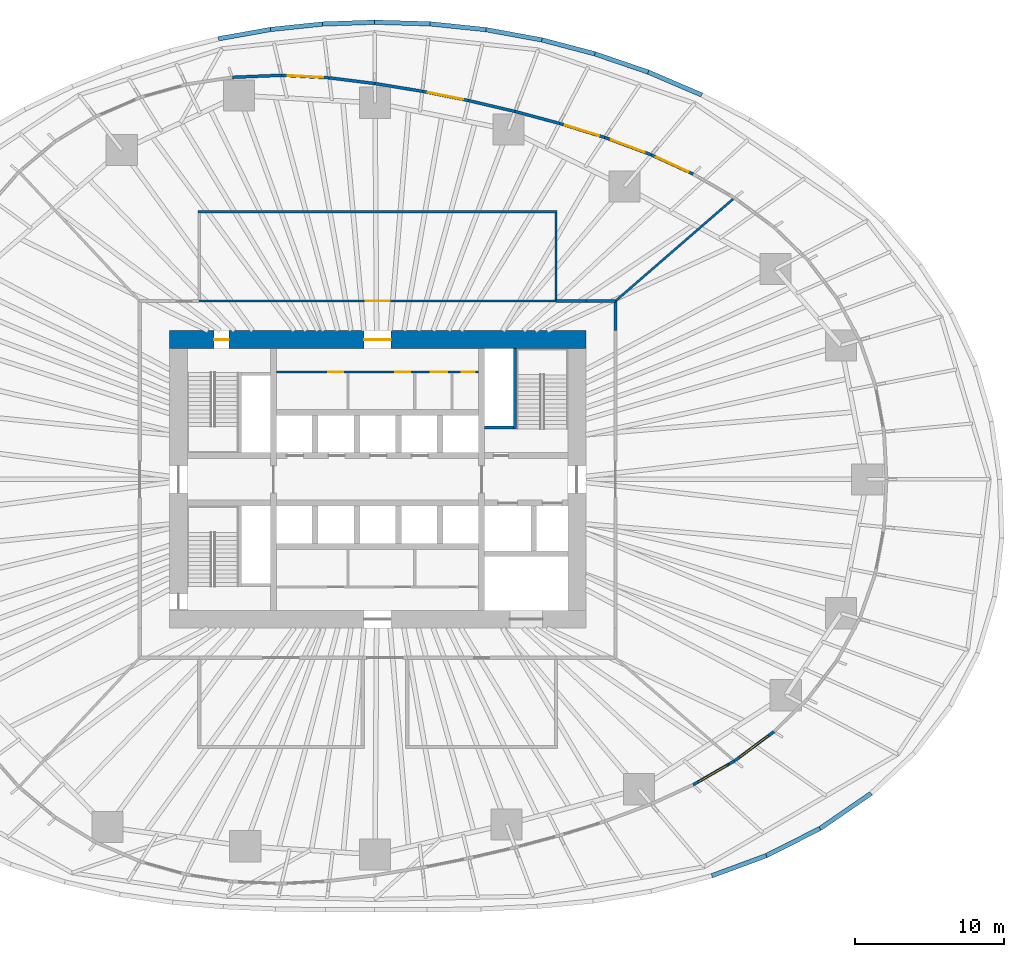
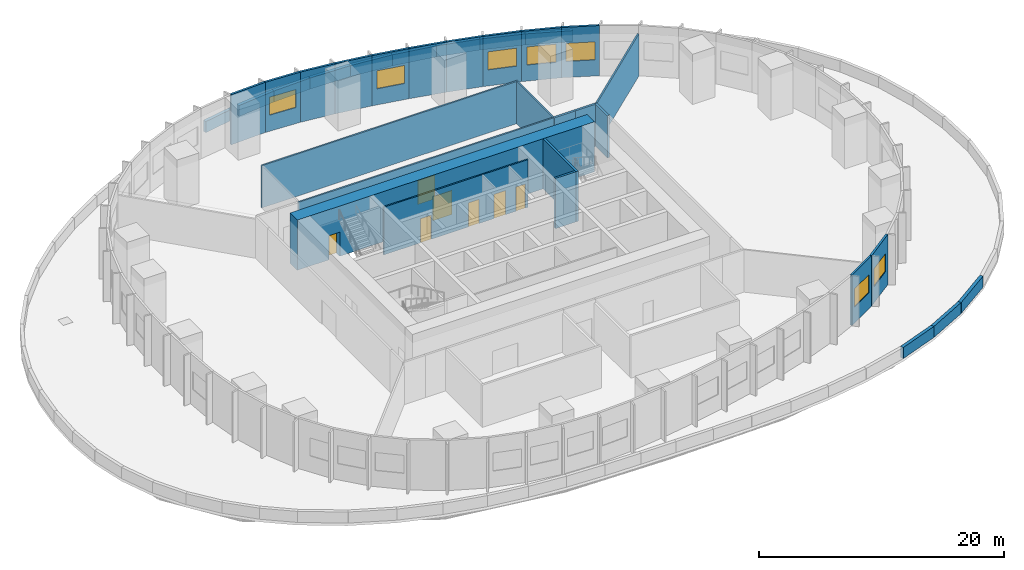
# One storey, part 9 of 11: 35 walls, 7 doors, 7 windows, 14 openings.
"""IFC4 building model written with IfcOpenShell, lengths in metres."""

from ifc_helpers import new_model, si_unit, direction, frame, frame_2d, origin, place, context, subcontext, project, spatial, rectangle, extrude, material, layer, layer_set, type_object, element, fill, save


model = new_model("IFC4")

# Units and contexts
model_context = context("Model", 3, precision=1e-05, world=origin(), true_north=direction((0.0, 1.0)))
body_context = subcontext(model_context, "Body", "Model", "MODEL_VIEW")
ifc_project = project(units=[si_unit("LENGTHUNIT", "METRE"), si_unit("AREAUNIT", "SQUARE_METRE"), si_unit("VOLUMEUNIT", "CUBIC_METRE"), si_unit("PLANEANGLEUNIT", "RADIAN"), si_unit("MASSUNIT", "GRAM", prefix="KILO")], contexts=[model_context])

# Site, building, storey
site_placement = place(None, origin())
site = spatial("IfcSite", under=ifc_project, at=site_placement, CompositionType="ELEMENT")
building_placement = place(site_placement, origin())
building = spatial("IfcBuilding", under=site, at=building_placement, Name="Ghaith Harvest Tower", CompositionType="ELEMENT")
storey_placement = place(building_placement, frame((0.0, 0.0, 15.0)))
storey = spatial("IfcBuildingStorey", under=building, at=storey_placement, Name="L03", CompositionType="ELEMENT", Elevation=15.0)

# Walls
ifc_material_1 = material(Name="Concrete blockwork, 1-hour", Category="masonry")
ifc_layer_1 = layer(ifc_material_1, 0.215087890625)
ifc_layer_set_1 = layer_set([ifc_layer_1], Name="BLOCKWORK WALL 215")
wall_type_1 = type_object("IfcWallType", Name="BLOCKWORK WALL 215", PredefinedType="PARTITIONING", material=ifc_layer_set_1)
for number, where, z_axis, x_axis, name in (
    (1, (16.0, 12.0, 0.0), (0.0, 0.0, 1.0), (-1.0, 0.0, 0.0), "Plant room wall L03"),
    (2, (14.0, 12.0, 0.0), (0.0, 0.0, 1.0), (-1.0, 0.0, 0.0), "Plant room wall L03"),
    (3, (16.0, 10.0, 0.0), (0.0, 0.0, 1.0), (0.0, 1.0, 0.0), "Plant room wall L03"),
):
    element("IfcWall", number, at=place(storey_placement, frame(where, z_axis=z_axis, x_axis=x_axis)), inside=storey, type_object=wall_type_1, Name=name, PredefinedType="PARTITIONING", context=body_context, shape_type="SweptSolid", body=[
        extrude(rectangle(XDim=2.0, YDim=0.215087890625, at=frame_2d((1.0, 0.0))), origin(), (0.0, 0.0, 1.0), 4.199951171875),
    ])

# Wall, openings, doors
ifc_material_2 = material(Name="Concrete blockwork, fair-faced", Category="masonry")
ifc_layer_2 = layer(ifc_material_2, 0.139892578125)
ifc_layer_set_2 = layer_set([ifc_layer_2], Name="CORE PARTITION 140")
wall_type_2 = type_object("IfcWallType", Name="CORE PARTITION 140", PredefinedType="PARTITIONING", material=ifc_layer_set_2)
wall_1_placement = place(storey_placement, frame((-6.800048828125, 7.22998046875, 0.0), z_axis=(0.0, 0.0, 1.0), x_axis=(1.0, 0.0, 0.0)))
wall_1 = element("IfcWall", 4, at=wall_1_placement, inside=storey, type_object=wall_type_2, Name="Core partition L03", PredefinedType="PARTITIONING", context=body_context, shape_type="SweptSolid", body=[
    extrude(rectangle(XDim=13.60009765625, YDim=0.139892578125, at=frame_2d((6.800048828125, 0.0))), origin(), (0.0, 0.0, 1.0), 4.75),
])
opening_1_placement = place(wall_1_placement, frame((3.47998046875, 0.0, 0.0)))
opening_1 = element("IfcOpeningElement", 5, at=opening_1_placement, cuts=wall_1, Name="Opening 03-008", PredefinedType="OPENING", context=body_context, shape_type="SweptSolid", body=[
    extrude(rectangle(XDim=1.0, YDim=2.39990234375, at=frame_2d((0.5, 1.199951171875))), frame((0.0, 0.080078125, 0.0), z_axis=(0.0, -1.0, 0.0), x_axis=(1.0, 0.0, 0.0)), (0.0, 0.0, 1.0), 0.159912109375),
])
opening_2_placement = place(wall_1_placement, frame((7.97998046875, 0.0, 0.0)))
opening_2 = element("IfcOpeningElement", 6, at=opening_2_placement, cuts=wall_1, Name="Opening 03-009", PredefinedType="OPENING", context=body_context, shape_type="SweptSolid", body=[
    extrude(rectangle(XDim=1.0, YDim=2.39990234375, at=frame_2d((0.5, 1.199951171875))), frame((0.0, 0.080078125, 0.0), z_axis=(0.0, -1.0, 0.0), x_axis=(1.0, 0.0, 0.0)), (0.0, 0.0, 1.0), 0.159912109375),
])
opening_3_placement = place(wall_1_placement, frame((10.3798828125, 0.0, 0.0)))
opening_3 = element("IfcOpeningElement", 7, at=opening_3_placement, cuts=wall_1, Name="Opening 03-010", PredefinedType="OPENING", context=body_context, shape_type="SweptSolid", body=[
    extrude(rectangle(XDim=1.10009765625, YDim=2.39990234375, at=frame_2d((0.550048828125, 1.199951171875))), frame((0.0, 0.080078125, 0.0), z_axis=(0.0, -1.0, 0.0), x_axis=(1.0, 0.0, 0.0)), (0.0, 0.0, 1.0), 0.159912109375),
])
opening_4_placement = place(wall_1_placement, frame((12.449951171875, 0.0, 0.0)))
opening_4 = element("IfcOpeningElement", 8, at=opening_4_placement, cuts=wall_1, Name="Opening 03-011", PredefinedType="OPENING", context=body_context, shape_type="SweptSolid", body=[
    extrude(rectangle(XDim=0.89990234375, YDim=2.39990234375, at=frame_2d((0.449951171875, 1.199951171875))), frame((0.0, 0.080078125, 0.0), z_axis=(0.0, -1.0, 0.0), x_axis=(1.0, 0.0, 0.0)), (0.0, 0.0, 1.0), 0.159912109375),
])
ifc_material_3 = material(Name="Steel fire door", Category="steel")
door_type_1 = type_object("IfcDoorType", Name="D3 FD90 1000x2400", OperationType="SINGLE_SWING_LEFT", PredefinedType="DOOR", material=ifc_material_3)
door_1_placement = place(opening_1_placement, origin())
door_1 = element("IfcDoor", 9, at=door_1_placement, inside=storey, type_object=door_type_1, Name="Male WC door", OperationType="SINGLE_SWING_LEFT", OverallHeight=2.39990234375, OverallWidth=1.0, PredefinedType="DOOR", context=body_context, shape_type="SweptSolid", body=[
    extrude(rectangle(XDim=1.0, YDim=2.39990234375, at=frame_2d((0.5, 1.199951171875))), frame((0.0, 0.02490234375, 0.0), z_axis=(0.0, -1.0, 0.0), x_axis=(1.0, 0.0, 0.0)), (0.0, 0.0, 1.0), 0.050048828125),
])
fill(opening_1, door_1)
door_2_placement = place(opening_2_placement, origin())
door_2 = element("IfcDoor", 10, at=door_2_placement, inside=storey, type_object=door_type_1, Name="Female WC door", OperationType="SINGLE_SWING_RIGHT", OverallHeight=2.39990234375, OverallWidth=1.0, PredefinedType="DOOR", context=body_context, shape_type="SweptSolid", body=[
    extrude(rectangle(XDim=1.0, YDim=2.39990234375, at=frame_2d((0.5, 1.199951171875))), frame((0.0, 0.02490234375, 0.0), z_axis=(0.0, -1.0, 0.0), x_axis=(1.0, 0.0, 0.0)), (0.0, 0.0, 1.0), 0.050048828125),
])
fill(opening_2, door_2)
ifc_material_4 = material(Name="Steel fire door", Category="steel")
door_type_2 = type_object("IfcDoorType", Name="D5 FD90 900x2400", OperationType="SINGLE_SWING_LEFT", PredefinedType="DOOR", material=ifc_material_4)
door_3_placement = place(opening_4_placement, origin())
door_3 = element("IfcDoor", 11, at=door_3_placement, inside=storey, type_object=door_type_2, Name="Cleaner's store door", OperationType="SINGLE_SWING_RIGHT", OverallHeight=2.39990234375, OverallWidth=0.89990234375, PredefinedType="DOOR", context=body_context, shape_type="SweptSolid", body=[
    extrude(rectangle(XDim=0.89990234375, YDim=2.39990234375, at=frame_2d((0.449951171875, 1.199951171875))), frame((0.0, 0.02490234375, 0.0), z_axis=(0.0, -1.0, 0.0), x_axis=(1.0, 0.0, 0.0)), (0.0, 0.0, 1.0), 0.050048828125),
])
fill(opening_4, door_3)
ifc_material_5 = material(Name="Steel fire door", Category="steel")
door_type_3 = type_object("IfcDoorType", Name="D9 FD90 1100x2400", OperationType="SINGLE_SWING_LEFT", PredefinedType="DOOR", material=ifc_material_5)
door_4_placement = place(opening_3_placement, origin())
door_4 = element("IfcDoor", 12, at=door_4_placement, inside=storey, type_object=door_type_3, Name="Accessible WC door", OperationType="SINGLE_SWING_RIGHT", OverallHeight=2.39990234375, OverallWidth=1.10009765625, PredefinedType="DOOR", context=body_context, shape_type="SweptSolid", body=[
    extrude(rectangle(XDim=1.10009765625, YDim=2.39990234375, at=frame_2d((0.550048828125, 1.199951171875))), frame((0.0, 0.02490234375, 0.0), z_axis=(0.0, -1.0, 0.0), x_axis=(1.0, 0.0, 0.0)), (0.0, 0.0, 1.0), 0.050048828125),
])
fill(opening_3, door_4)

ifc_material_6 = material(Name="Concrete C70/85", Category="concrete")
ifc_layer_3 = layer(ifc_material_6, 1.199951171875)
ifc_layer_set_3 = layer_set([ifc_layer_3], Name="CORE WALL CW1200")
wall_type_3 = type_object("IfcWallType", Name="CORE WALL CW1200", PredefinedType="SHEAR", material=ifc_layer_set_3)
wall_2_placement = place(storey_placement, frame((14.0, 9.39990234375, 0.0), z_axis=(0.0, 0.0, 1.0), x_axis=(-1.0, 0.0, 0.0)))
wall_2 = element("IfcWall", 13, at=wall_2_placement, inside=storey, type_object=wall_type_3, Name="Core wall N L03", PredefinedType="SHEAR", context=body_context, shape_type="SweptSolid", body=[
    extrude(rectangle(XDim=28.0, YDim=1.199951171875, at=frame_2d((14.0, 0.0))), origin(), (0.0, 0.0, 1.0), 5.0),
])
opening_5_placement = place(wall_2_placement, frame((24.0, 0.0, 0.0)))
opening_5 = element("IfcOpeningElement", 14, at=opening_5_placement, cuts=wall_2, Name="Opening 03-005", PredefinedType="OPENING", context=body_context, shape_type="SweptSolid", body=[
    extrude(rectangle(XDim=1.0, YDim=2.39990234375, at=frame_2d((0.5, 1.199951171875))), frame((0.0, 0.60986328125, 0.0), z_axis=(0.0, -1.0, 0.0), x_axis=(1.0, 0.0, 0.0)), (0.0, 0.0, 1.0), 1.219970703125),
])
opening_6_placement = place(wall_2_placement, frame((13.10009765625, 0.0, 0.0)))
opening_6 = element("IfcOpeningElement", 15, at=opening_6_placement, cuts=wall_2, Name="Opening 03-015", PredefinedType="OPENING", context=body_context, shape_type="SweptSolid", body=[
    extrude(rectangle(XDim=1.800048828125, YDim=2.39990234375, at=frame_2d((0.89990234375, 1.199951171875))), frame((0.0, 0.60986328125, 0.0), z_axis=(0.0, -1.0, 0.0), x_axis=(1.0, 0.0, 0.0)), (0.0, 0.0, 1.0), 1.219970703125),
])
door_5_placement = place(opening_5_placement, origin())
door_5 = element("IfcDoor", 16, at=door_5_placement, inside=storey, type_object=door_type_1, Name="Stair ST1 door", OperationType="SINGLE_SWING_RIGHT", OverallHeight=2.39990234375, OverallWidth=1.0, PredefinedType="DOOR", context=body_context, shape_type="SweptSolid", body=[
    extrude(rectangle(XDim=1.0, YDim=2.39990234375, at=frame_2d((0.5, 1.199951171875))), frame((0.0, 0.02490234375, 0.0), z_axis=(0.0, -1.0, 0.0), x_axis=(1.0, 0.0, 0.0)), (0.0, 0.0, 1.0), 0.050048828125),
])
fill(opening_5, door_5)
ifc_material_7 = material(Name="Steel fire door", Category="steel")
door_type_4 = type_object("IfcDoorType", Name="D4 FD90 PAIR 1800x2400", OperationType="DOUBLE_DOOR_SINGLE_SWING", PredefinedType="DOOR", material=ifc_material_7)
door_6_placement = place(opening_6_placement, origin())
door_6 = element("IfcDoor", 17, at=door_6_placement, inside=storey, type_object=door_type_4, Name="Core service corridor doors", OperationType="DOUBLE_DOOR_SINGLE_SWING", OverallHeight=2.39990234375, OverallWidth=1.800048828125, PredefinedType="DOOR", context=body_context, shape_type="SweptSolid", body=[
    extrude(rectangle(XDim=1.800048828125, YDim=2.39990234375, at=frame_2d((0.89990234375, 1.199951171875))), frame((0.0, 0.02490234375, 0.0), z_axis=(0.0, -1.0, 0.0), x_axis=(1.0, 0.0, 0.0)), (0.0, 0.0, 1.0), 0.050048828125),
])
fill(opening_6, door_6)

# Walls
ifc_material_8 = material(Name="Concrete C40/50", Category="concrete")
ifc_layer_4 = layer(ifc_material_8, 0.300048828125)
ifc_layer_set_4 = layer_set([ifc_layer_4], Name="PARAPET 300")
wall_type_4 = type_object("IfcWallType", Name="PARAPET 300", PredefinedType="PARAPET", material=ifc_layer_set_4)
wall_3_placement = place(storey_placement, frame((21.804443359375, 25.85693359375, 0.0), z_axis=(0.0, 0.0, 1.0), x_axis=(-0.919592009801, 0.392874707139, 0.0)))
element("IfcWall", 18, at=wall_3_placement, inside=storey, type_object=wall_type_4, Name="Parapet 04.1 L03", PredefinedType="PARAPET", context=body_context, shape_type="SweptSolid", body=[
    extrude(rectangle(XDim=3.921875, YDim=0.300048828125, at=frame_2d((1.9609375, 0.0))), origin(), (0.0, 0.0, 1.0), 1.10009765625),
])
wall_4_placement = place(storey_placement, frame((18.197998046875, 27.397705078125, 0.0), z_axis=(0.0, 0.0, 1.0), x_axis=(-0.946146845369, 0.323737775055, 0.0)))
element("IfcWall", 19, at=wall_4_placement, inside=storey, type_object=wall_type_4, Name="Parapet 04.2 L03", PredefinedType="PARAPET", context=body_context, shape_type="SweptSolid", body=[
    extrude(rectangle(XDim=3.788818359375, YDim=0.300048828125, at=frame_2d((1.89453125, 0.0))), origin(), (0.0, 0.0, 1.0), 1.10009765625),
])
wall_5_placement = place(storey_placement, frame((14.61328125, 28.624267578125, 0.0), z_axis=(0.0, 0.0, 1.0), x_axis=(-0.967156049629, 0.254183350488, 0.0)))
element("IfcWall", 20, at=wall_5_placement, inside=storey, type_object=wall_type_4, Name="Parapet 04.3 L03", PredefinedType="PARAPET", context=body_context, shape_type="SweptSolid", body=[
    extrude(rectangle(XDim=3.68359375, YDim=0.300048828125, at=frame_2d((1.841796875, 0.0))), origin(), (0.0, 0.0, 1.0), 1.10009765625),
])
wall_6_placement = place(storey_placement, frame((11.05078125, 29.560546875, 0.0), z_axis=(0.0, 0.0, 1.0), x_axis=(-0.983585266167, 0.180443964098, 0.0)))
element("IfcWall", 21, at=wall_6_placement, inside=storey, type_object=wall_type_4, Name="Parapet 05.1 L03", PredefinedType="PARAPET", context=body_context, shape_type="SweptSolid", body=[
    extrude(rectangle(XDim=3.831787109375, YDim=0.300048828125, at=frame_2d((1.916015625, 0.0))), origin(), (0.0, 0.0, 1.0), 1.10009765625),
])
wall_7_placement = place(storey_placement, frame((7.281982421875, 30.251953125, 0.0), z_axis=(0.0, 0.0, 1.0), x_axis=(-0.99467190392, 0.103091238968, 0.0)))
element("IfcWall", 22, at=wall_7_placement, inside=storey, type_object=wall_type_4, Name="Parapet 05.2 L03", PredefinedType="PARAPET", context=body_context, shape_type="SweptSolid", body=[
    extrude(rectangle(XDim=3.7724609375, YDim=0.300048828125, at=frame_2d((1.88623046875, 0.0))), origin(), (0.0, 0.0, 1.0), 1.10009765625),
])
wall_8_placement = place(storey_placement, frame((3.529541015625, 30.640869140625, 0.0), z_axis=(0.0, 0.0, 1.0), x_axis=(-0.999576451738, 0.029101840686, 0.0)))
element("IfcWall", 23, at=wall_8_placement, inside=storey, type_object=wall_type_4, Name="Parapet 05.3 L03", PredefinedType="PARAPET", context=body_context, shape_type="SweptSolid", body=[
    extrude(rectangle(XDim=3.741455078125, YDim=0.300048828125, at=frame_2d((1.87060546875, 0.0))), origin(), (0.0, 0.0, 1.0), 1.10009765625),
])
wall_9_placement = place(storey_placement, frame((-0.21044921875, 30.749755859375, 0.0), z_axis=(0.0, 0.0, 1.0), x_axis=(-0.999406830373, -0.034438167849, 0.0)))
element("IfcWall", 24, at=wall_9_placement, inside=storey, type_object=wall_type_4, Name="Parapet 06.1 L03", PredefinedType="PARAPET", context=body_context, shape_type="SweptSolid", body=[
    extrude(rectangle(XDim=3.48779296875, YDim=0.300048828125, at=frame_2d((1.743896484375, 0.0))), origin(), (0.0, 0.0, 1.0), 1.10009765625),
])
wall_10_placement = place(storey_placement, frame((-3.6962890625, 30.629638671875, 0.0), z_axis=(0.0, 0.0, 1.0), x_axis=(-0.994589598691, -0.103882289998, 0.0)))
element("IfcWall", 25, at=wall_10_placement, inside=storey, type_object=wall_type_4, Name="Parapet 06.2 L03", PredefinedType="PARAPET", context=body_context, shape_type="SweptSolid", body=[
    extrude(rectangle(XDim=3.515869140625, YDim=0.300048828125, at=frame_2d((1.7578125, 0.0))), origin(), (0.0, 0.0, 1.0), 1.10009765625),
])
wall_11_placement = place(storey_placement, frame((-7.193115234375, 30.264404296875, 0.0), z_axis=(0.0, 0.0, 1.0), x_axis=(-0.984404298374, -0.175920940604, 0.0)))
element("IfcWall", 26, at=wall_11_placement, inside=storey, type_object=wall_type_4, Name="Parapet 06.3 L03", PredefinedType="PARAPET", context=body_context, shape_type="SweptSolid", body=[
    extrude(rectangle(XDim=3.566650390625, YDim=0.300048828125, at=frame_2d((1.783203125, 0.0))), origin(), (0.0, 0.0, 1.0), 1.10009765625),
])
wall_12_placement = place(storey_placement, frame((22.47998046875, -26.658203125, 0.0), z_axis=(0.0, 0.0, 1.0), x_axis=(0.938046169807, 0.346510293224, 0.0)))
element("IfcWall", 27, at=wall_12_placement, inside=storey, type_object=wall_type_4, Name="Parapet 18.1 L03", PredefinedType="PARAPET", context=body_context, shape_type="SweptSolid", body=[
    extrude(rectangle(XDim=3.90673828125, YDim=0.300048828125, at=frame_2d((1.953369140625, 0.0))), origin(), (0.0, 0.0, 1.0), 1.10009765625),
])
wall_13_placement = place(storey_placement, frame((26.144775390625, -25.304443359375, 0.0), z_axis=(0.0, 0.0, 1.0), x_axis=(0.892405140884, 0.451235043547, 0.0)))
element("IfcWall", 28, at=wall_13_placement, inside=storey, type_object=wall_type_4, Name="Parapet 18.2 L03", PredefinedType="PARAPET", context=body_context, shape_type="SweptSolid", body=[
    extrude(rectangle(XDim=4.05078125, YDim=0.300048828125, at=frame_2d((2.025390625, 0.0))), origin(), (0.0, 0.0, 1.0), 1.10009765625),
])
wall_14_placement = place(storey_placement, frame((29.759765625, -23.4765625, 0.0), z_axis=(0.0, 0.0, 1.0), x_axis=(0.824156653379, 0.566361907874, 0.0)))
element("IfcWall", 29, at=wall_14_placement, inside=storey, type_object=wall_type_4, Name="Parapet 18.3 L03", PredefinedType="PARAPET", context=body_context, shape_type="SweptSolid", body=[
    extrude(rectangle(XDim=4.159423828125, YDim=0.300048828125, at=frame_2d((2.07958984375, 0.0))), origin(), (0.0, 0.0, 1.0), 1.10009765625),
])
ifc_material_9 = material(Name="Gypsum board on steel studs", Category="steel")
ifc_layer_5 = layer(ifc_material_9, 0.14990234375)
ifc_layer_set_5 = layer_set([ifc_layer_5], Name="PARTITION 150")
wall_type_5 = type_object("IfcWallType", Name="PARTITION 150", PredefinedType="PARTITIONING", material=ifc_layer_set_5)
wall_15_placement = place(storey_placement, frame((16.01513671875, 12.01318359375, 0.0), z_axis=(0.0, 0.0, 1.0), x_axis=(0.755438460481, 0.655219606259, 0.0)))
element("IfcWall", 30, at=wall_15_placement, inside=storey, type_object=wall_type_5, Name="Partition L03 zone division", PredefinedType="PARTITIONING", context=body_context, shape_type="SweptSolid", body=[
    extrude(rectangle(XDim=10.4482421875, YDim=0.14990234375, at=frame_2d((5.22412109375, 0.0))), origin(), (0.0, 0.0, 1.0), 4.199951171875),
])

# Wall, opening, door
wall_16_placement = place(storey_placement, frame((-12.074951171875, 12.0, 0.0), z_axis=(0.0, 0.0, 1.0), x_axis=(1.0, 0.0, 0.0)))
wall_16 = element("IfcWall", 31, at=wall_16_placement, inside=storey, type_object=wall_type_5, Name="Partition L03-01", PredefinedType="PARTITIONING", context=body_context, shape_type="SweptSolid", body=[
    extrude(rectangle(XDim=24.14990234375, YDim=0.14990234375, at=frame_2d((12.074951171875, 0.0))), origin(), (0.0, 0.0, 1.0), 4.199951171875),
])
opening_7_placement = place(wall_16_placement, frame((11.27490234375, 0.0, 0.0)))
opening_7 = element("IfcOpeningElement", 32, at=opening_7_placement, cuts=wall_16, Name="Opening 03-024", PredefinedType="OPENING", context=body_context, shape_type="SweptSolid", body=[
    extrude(rectangle(XDim=1.60009765625, YDim=2.39990234375, at=frame_2d((0.800048828125, 1.199951171875))), frame((0.0, 0.0849609375, 0.0), z_axis=(0.0, -1.0, 0.0), x_axis=(1.0, 0.0, 0.0)), (0.0, 0.0, 1.0), 0.169921875),
])
ifc_material_10 = material(Name="Timber door", Category="wood")
door_type_5 = type_object("IfcDoorType", Name="D2 PAIR 1600x2400", OperationType="DOUBLE_DOOR_SINGLE_SWING", PredefinedType="DOOR", material=ifc_material_10)
door_7_placement = place(opening_7_placement, origin())
door_7 = element("IfcDoor", 33, at=door_7_placement, inside=storey, type_object=door_type_5, Name="Refuge area door", OperationType="DOUBLE_DOOR_SINGLE_SWING", OverallHeight=2.39990234375, OverallWidth=1.60009765625, PredefinedType="DOOR", context=body_context, shape_type="SweptSolid", body=[
    extrude(rectangle(XDim=1.60009765625, YDim=2.39990234375, at=frame_2d((0.800048828125, 1.199951171875))), frame((0.0, 0.02490234375, 0.0), z_axis=(0.0, -1.0, 0.0), x_axis=(1.0, 0.0, 0.0)), (0.0, 0.0, 1.0), 0.050048828125),
])
fill(opening_7, door_7)

# Walls
wall_17_placement = place(storey_placement, frame((-12.074951171875, 18.0, 0.0), z_axis=(0.0, 0.0, 1.0), x_axis=(1.0, 0.0, 0.0)))
element("IfcWall", 34, at=wall_17_placement, inside=storey, type_object=wall_type_5, Name="Partition L03-01", PredefinedType="PARTITIONING", context=body_context, shape_type="SweptSolid", body=[
    extrude(rectangle(XDim=24.14990234375, YDim=0.14990234375, at=frame_2d((12.074951171875, 0.0))), origin(), (0.0, 0.0, 1.0), 4.199951171875),
])
wall_18_placement = place(storey_placement, frame((12.0, 12.074951171875, 0.0), z_axis=(0.0, 0.0, 1.0), x_axis=(0.0, 1.0, 0.0)))
element("IfcWall", 35, at=wall_18_placement, inside=storey, type_object=wall_type_5, Name="Partition L03-01", PredefinedType="PARTITIONING", context=body_context, shape_type="SweptSolid", body=[
    extrude(rectangle(XDim=5.85009765625, YDim=0.14990234375, at=frame_2d((2.925048828125, 0.0))), origin(), (0.0, 0.0, 1.0), 4.199951171875),
])

# Wall, opening, window
ifc_material_11 = material(Name="Steel, black insulated metal cladding panel", Category="steel")
ifc_layer_6 = layer(ifc_material_11, 0.199951171875)
ifc_layer_set_6 = layer_set([ifc_layer_6], Name="PLANT ENCLOSURE WALL 200")
wall_type_6 = type_object("IfcWallType", Name="PLANT ENCLOSURE WALL 200", PredefinedType="SOLIDWALL", material=ifc_layer_set_6)
wall_19_placement = place(storey_placement, frame((21.22119140625, 20.5390625, 0.0), z_axis=(0.0, 0.0, 1.0), x_axis=(-0.908621015228, 0.417621659743, 0.0)))
wall_19 = element("IfcWall", 36, at=wall_19_placement, inside=storey, type_object=wall_type_6, Name="Plant enclosure wall 03.3 L03", PredefinedType="SOLIDWALL", context=body_context, shape_type="SweptSolid", body=[
    extrude(rectangle(XDim=3.09423828125, YDim=0.199951171875, at=frame_2d((1.547119140625, 0.0))), origin(), (0.0, 0.0, 1.0), 5.0),
])
opening_8_placement = place(wall_19_placement, frame((0.34716796875, 0.0, 1.60009765625)))
opening_8 = element("IfcOpeningElement", 37, at=opening_8_placement, cuts=wall_19, Name="Opening LV1", PredefinedType="OPENING", context=body_context, shape_type="SweptSolid", body=[
    extrude(rectangle(XDim=2.39990234375, YDim=1.800048828125, at=frame_2d((1.199951171875, 0.89990234375))), frame((0.0, 0.10986328125, 0.0), z_axis=(0.0, -1.0, 0.0), x_axis=(1.0, 0.0, 0.0)), (0.0, 0.0, 1.0), 0.219970703125),
])
ifc_material_12 = material(Name="Aluminium louvre, black", Category="aluminium")
window_type = type_object("IfcWindowType", Name="LOUVRE L1 2400x1800", PartitioningType="SINGLE_PANEL", PredefinedType="WINDOW", material=ifc_material_12)
window_1_placement = place(opening_8_placement, origin())
window_1 = element("IfcWindow", 38, at=window_1_placement, inside=storey, type_object=window_type, Name="Plant louvre 03.3 L03", OverallHeight=1.800048828125, OverallWidth=2.39990234375, PartitioningType="SINGLE_PANEL", PredefinedType="WINDOW", context=body_context, shape_type="SweptSolid", body=[
    extrude(rectangle(XDim=2.39990234375, YDim=1.800048828125, at=frame_2d((1.199951171875, 0.89990234375))), frame((0.0, 0.030029296875, 0.0), z_axis=(0.0, -1.0, 0.0), x_axis=(1.0, 0.0, 0.0)), (0.0, 0.0, 1.0), 0.06005859375),
])
fill(opening_8, window_1)

wall_20_placement = place(storey_placement, frame((18.40966796875, 21.831298828125, 0.0), z_axis=(0.0, 0.0, 1.0), x_axis=(-0.936993572149, 0.349346598312, 0.0)))
wall_20 = element("IfcWall", 39, at=wall_20_placement, inside=storey, type_object=wall_type_6, Name="Plant enclosure wall 04.1 L03", PredefinedType="SOLIDWALL", context=body_context, shape_type="SweptSolid", body=[
    extrude(rectangle(XDim=3.343994140625, YDim=0.199951171875, at=frame_2d((1.671875, 0.0))), origin(), (0.0, 0.0, 1.0), 5.0),
])
opening_9_placement = place(wall_20_placement, frame((0.471923828125, 0.0, 1.60009765625)))
opening_9 = element("IfcOpeningElement", 40, at=opening_9_placement, cuts=wall_20, Name="Opening LV1", PredefinedType="OPENING", context=body_context, shape_type="SweptSolid", body=[
    extrude(rectangle(XDim=2.39990234375, YDim=1.800048828125, at=frame_2d((1.199951171875, 0.89990234375))), frame((0.0, 0.10986328125, 0.0), z_axis=(0.0, -1.0, 0.0), x_axis=(1.0, 0.0, 0.0)), (0.0, 0.0, 1.0), 0.219970703125),
])
window_2_placement = place(opening_9_placement, origin())
window_2 = element("IfcWindow", 41, at=window_2_placement, inside=storey, type_object=window_type, Name="Plant louvre 04.1 L03", OverallHeight=1.800048828125, OverallWidth=2.39990234375, PartitioningType="SINGLE_PANEL", PredefinedType="WINDOW", context=body_context, shape_type="SweptSolid", body=[
    extrude(rectangle(XDim=2.39990234375, YDim=1.800048828125, at=frame_2d((1.199951171875, 0.89990234375))), frame((0.0, 0.030029296875, 0.0), z_axis=(0.0, -1.0, 0.0), x_axis=(1.0, 0.0, 0.0)), (0.0, 0.0, 1.0), 0.06005859375),
])
fill(opening_9, window_2)

wall_21_placement = place(storey_placement, frame((15.2763671875, 22.99951171875, 0.0), z_axis=(0.0, 0.0, 1.0), x_axis=(-0.955035787584, 0.296490546954, 0.0)))
wall_21 = element("IfcWall", 42, at=wall_21_placement, inside=storey, type_object=wall_type_6, Name="Plant enclosure wall 04.2 L03", PredefinedType="SOLIDWALL", context=body_context, shape_type="SweptSolid", body=[
    extrude(rectangle(XDim=3.19482421875, YDim=0.199951171875, at=frame_2d((1.597412109375, 0.0))), origin(), (0.0, 0.0, 1.0), 5.0),
])
opening_10_placement = place(wall_21_placement, frame((0.3974609375, 0.0, 1.60009765625)))
opening_10 = element("IfcOpeningElement", 43, at=opening_10_placement, cuts=wall_21, Name="Opening LV1", PredefinedType="OPENING", context=body_context, shape_type="SweptSolid", body=[
    extrude(rectangle(XDim=2.39990234375, YDim=1.800048828125, at=frame_2d((1.199951171875, 0.89990234375))), frame((0.0, 0.10986328125, 0.0), z_axis=(0.0, -1.0, 0.0), x_axis=(1.0, 0.0, 0.0)), (0.0, 0.0, 1.0), 0.219970703125),
])
window_3_placement = place(opening_10_placement, origin())
window_3 = element("IfcWindow", 44, at=window_3_placement, inside=storey, type_object=window_type, Name="Plant louvre 04.2 L03", OverallHeight=1.800048828125, OverallWidth=2.39990234375, PartitioningType="SINGLE_PANEL", PredefinedType="WINDOW", context=body_context, shape_type="SweptSolid", body=[
    extrude(rectangle(XDim=2.39990234375, YDim=1.800048828125, at=frame_2d((1.199951171875, 0.89990234375))), frame((0.0, 0.030029296875, 0.0), z_axis=(0.0, -1.0, 0.0), x_axis=(1.0, 0.0, 0.0)), (0.0, 0.0, 1.0), 0.06005859375),
])
fill(opening_10, window_3)

# Walls
wall_22_placement = place(storey_placement, frame((12.22509765625, 23.94677734375, 0.0), z_axis=(0.0, 0.0, 1.0), x_axis=(-0.965880088888, 0.25898967912, 0.0)))
element("IfcWall", 45, at=wall_22_placement, inside=storey, type_object=wall_type_6, Name="Plant enclosure wall 04.3 L03", PredefinedType="SOLIDWALL", context=body_context, shape_type="SweptSolid", body=[
    extrude(rectangle(XDim=3.07958984375, YDim=0.199951171875, at=frame_2d((1.539794921875, 0.0))), origin(), (0.0, 0.0, 1.0), 5.0),
])
wall_23_placement = place(storey_placement, frame((9.25048828125, 24.744384765625, 0.0), z_axis=(0.0, 0.0, 1.0), x_axis=(-0.973572895891, 0.228376479493, 0.0)))
element("IfcWall", 46, at=wall_23_placement, inside=storey, type_object=wall_type_6, Name="Plant enclosure wall 05.1 L03", PredefinedType="SOLIDWALL", context=body_context, shape_type="SweptSolid", body=[
    extrude(rectangle(XDim=3.202880859375, YDim=0.199951171875, at=frame_2d((1.6015625, 0.0))), origin(), (0.0, 0.0, 1.0), 5.0),
])

# Wall, opening, window
wall_24_placement = place(storey_placement, frame((6.13232421875, 25.475830078125, 0.0), z_axis=(0.0, 0.0, 1.0), x_axis=(-0.980424252134, 0.196896637419, 0.0)))
wall_24 = element("IfcWall", 47, at=wall_24_placement, inside=storey, type_object=wall_type_6, Name="Plant enclosure wall 05.2 L03", PredefinedType="SOLIDWALL", context=body_context, shape_type="SweptSolid", body=[
    extrude(rectangle(XDim=3.18798828125, YDim=0.199951171875, at=frame_2d((1.593994140625, 0.0))), origin(), (0.0, 0.0, 1.0), 5.0),
])
opening_11_placement = place(wall_24_placement, frame((0.393798828125, 0.0, 1.60009765625)))
opening_11 = element("IfcOpeningElement", 48, at=opening_11_placement, cuts=wall_24, Name="Opening LV1", PredefinedType="OPENING", context=body_context, shape_type="SweptSolid", body=[
    extrude(rectangle(XDim=2.39990234375, YDim=1.800048828125, at=frame_2d((1.199951171875, 0.89990234375))), frame((0.0, 0.10986328125, 0.0), z_axis=(0.0, -1.0, 0.0), x_axis=(1.0, 0.0, 0.0)), (0.0, 0.0, 1.0), 0.219970703125),
])
window_4_placement = place(opening_11_placement, origin())
window_4 = element("IfcWindow", 49, at=window_4_placement, inside=storey, type_object=window_type, Name="Plant louvre 05.2 L03", OverallHeight=1.800048828125, OverallWidth=2.39990234375, PartitioningType="SINGLE_PANEL", PredefinedType="WINDOW", context=body_context, shape_type="SweptSolid", body=[
    extrude(rectangle(XDim=2.39990234375, YDim=1.800048828125, at=frame_2d((1.199951171875, 0.89990234375))), frame((0.0, 0.030029296875, 0.0), z_axis=(0.0, -1.0, 0.0), x_axis=(1.0, 0.0, 0.0)), (0.0, 0.0, 1.0), 0.06005859375),
])
fill(opening_11, window_4)

# Walls
wall_25_placement = place(storey_placement, frame((3.0068359375, 26.103515625, 0.0), z_axis=(0.0, 0.0, 1.0), x_axis=(-0.986783142393, 0.162046381904, 0.0)))
element("IfcWall", 50, at=wall_25_placement, inside=storey, type_object=wall_type_6, Name="Plant enclosure wall 05.3 L03", PredefinedType="SOLIDWALL", context=body_context, shape_type="SweptSolid", body=[
    extrude(rectangle(XDim=3.231689453125, YDim=0.199951171875, at=frame_2d((1.61572265625, 0.0))), origin(), (0.0, 0.0, 1.0), 5.0),
])
wall_26_placement = place(storey_placement, frame((-0.18212890625, 26.627197265625, 0.0), z_axis=(0.0, 0.0, 1.0), x_axis=(-0.992351582774, 0.123443655834, 0.0)))
element("IfcWall", 51, at=wall_26_placement, inside=storey, type_object=wall_type_6, Name="Plant enclosure wall 06.1 L03", PredefinedType="SOLIDWALL", context=body_context, shape_type="SweptSolid", body=[
    extrude(rectangle(XDim=3.10107421875, YDim=0.199951171875, at=frame_2d((1.550537109375, 0.0))), origin(), (0.0, 0.0, 1.0), 5.0),
])

# Wall, opening, window
wall_27_placement = place(storey_placement, frame((-3.259521484375, 27.010009765625, 0.0), z_axis=(0.0, 0.0, 1.0), x_axis=(-0.998553566531, 0.053765925715, 0.0)))
wall_27 = element("IfcWall", 52, at=wall_27_placement, inside=storey, type_object=wall_type_6, Name="Plant enclosure wall 06.2 L03", PredefinedType="SOLIDWALL", context=body_context, shape_type="SweptSolid", body=[
    extrude(rectangle(XDim=3.205810546875, YDim=0.199951171875, at=frame_2d((1.60302734375, 0.0))), origin(), (0.0, 0.0, 1.0), 5.0),
])
opening_12_placement = place(wall_27_placement, frame((0.40283203125, 0.0, 1.60009765625)))
opening_12 = element("IfcOpeningElement", 53, at=opening_12_placement, cuts=wall_27, Name="Opening LV1", PredefinedType="OPENING", context=body_context, shape_type="SweptSolid", body=[
    extrude(rectangle(XDim=2.39990234375, YDim=1.800048828125, at=frame_2d((1.199951171875, 0.89990234375))), frame((0.0, 0.10986328125, 0.0), z_axis=(0.0, -1.0, 0.0), x_axis=(1.0, 0.0, 0.0)), (0.0, 0.0, 1.0), 0.219970703125),
])
window_5_placement = place(opening_12_placement, origin())
window_5 = element("IfcWindow", 54, at=window_5_placement, inside=storey, type_object=window_type, Name="Plant louvre 06.2 L03", OverallHeight=1.800048828125, OverallWidth=2.39990234375, PartitioningType="SINGLE_PANEL", PredefinedType="WINDOW", context=body_context, shape_type="SweptSolid", body=[
    extrude(rectangle(XDim=2.39990234375, YDim=1.800048828125, at=frame_2d((1.199951171875, 0.89990234375))), frame((0.0, 0.030029296875, 0.0), z_axis=(0.0, -1.0, 0.0), x_axis=(1.0, 0.0, 0.0)), (0.0, 0.0, 1.0), 0.06005859375),
])
fill(opening_12, window_5)

# Wall
wall_28_placement = place(storey_placement, frame((-6.460693359375, 27.182373046875, 0.0), z_axis=(0.0, 0.0, 1.0), x_axis=(-0.999125000508, -0.041823837231, 0.0)))
element("IfcWall", 55, at=wall_28_placement, inside=storey, type_object=wall_type_6, Name="Plant enclosure wall 06.3 L03", PredefinedType="SOLIDWALL", context=body_context, shape_type="SweptSolid", body=[
    extrude(rectangle(XDim=3.309814453125, YDim=0.199951171875, at=frame_2d((1.65478515625, 0.0))), origin(), (0.0, 0.0, 1.0), 5.0),
])

# Wall, opening, window
wall_29_placement = place(storey_placement, frame((21.22119140625, -20.5390625, 0.0), z_axis=(0.0, 0.0, 1.0), x_axis=(0.866247604337, 0.499614939709, 0.0)))
wall_29 = element("IfcWall", 56, at=wall_29_placement, inside=storey, type_object=wall_type_6, Name="Plant enclosure wall 18.2 L03", PredefinedType="SOLIDWALL", context=body_context, shape_type="SweptSolid", body=[
    extrude(rectangle(XDim=3.2109375, YDim=0.199951171875, at=frame_2d((1.60546875, 0.0))), origin(), (0.0, 0.0, 1.0), 5.0),
])
opening_13_placement = place(wall_29_placement, frame((0.405517578125, 0.0, 1.60009765625)))
opening_13 = element("IfcOpeningElement", 57, at=opening_13_placement, cuts=wall_29, Name="Opening LV1", PredefinedType="OPENING", context=body_context, shape_type="SweptSolid", body=[
    extrude(rectangle(XDim=2.39990234375, YDim=1.800048828125, at=frame_2d((1.199951171875, 0.89990234375))), frame((0.0, 0.10986328125, 0.0), z_axis=(0.0, -1.0, 0.0), x_axis=(1.0, 0.0, 0.0)), (0.0, 0.0, 1.0), 0.219970703125),
])
window_6_placement = place(opening_13_placement, origin())
window_6 = element("IfcWindow", 58, at=window_6_placement, inside=storey, type_object=window_type, Name="Plant louvre 18.2 L03", OverallHeight=1.800048828125, OverallWidth=2.39990234375, PartitioningType="SINGLE_PANEL", PredefinedType="WINDOW", context=body_context, shape_type="SweptSolid", body=[
    extrude(rectangle(XDim=2.39990234375, YDim=1.800048828125, at=frame_2d((1.199951171875, 0.89990234375))), frame((0.0, 0.030029296875, 0.0), z_axis=(0.0, -1.0, 0.0), x_axis=(1.0, 0.0, 0.0)), (0.0, 0.0, 1.0), 0.06005859375),
])
fill(opening_13, window_6)

wall_30_placement = place(storey_placement, frame((24.002685546875, -18.934814453125, 0.0), z_axis=(0.0, 0.0, 1.0), x_axis=(0.803003388377, 0.595974461076, 0.0)))
wall_30 = element("IfcWall", 59, at=wall_30_placement, inside=storey, type_object=wall_type_6, Name="Plant enclosure wall 18.3 L03", PredefinedType="SOLIDWALL", context=body_context, shape_type="SweptSolid", body=[
    extrude(rectangle(XDim=3.305419921875, YDim=0.199951171875, at=frame_2d((1.65283203125, 0.0))), origin(), (0.0, 0.0, 1.0), 5.0),
])
opening_14_placement = place(wall_30_placement, frame((0.452880859375, 0.0, 1.60009765625)))
opening_14 = element("IfcOpeningElement", 60, at=opening_14_placement, cuts=wall_30, Name="Opening LV1", PredefinedType="OPENING", context=body_context, shape_type="SweptSolid", body=[
    extrude(rectangle(XDim=2.39990234375, YDim=1.800048828125, at=frame_2d((1.199951171875, 0.89990234375))), frame((0.0, 0.10986328125, 0.0), z_axis=(0.0, -1.0, 0.0), x_axis=(1.0, 0.0, 0.0)), (0.0, 0.0, 1.0), 0.219970703125),
])
window_7_placement = place(opening_14_placement, origin())
window_7 = element("IfcWindow", 61, at=window_7_placement, inside=storey, type_object=window_type, Name="Plant louvre 18.3 L03", OverallHeight=1.800048828125, OverallWidth=2.39990234375, PartitioningType="SINGLE_PANEL", PredefinedType="WINDOW", context=body_context, shape_type="SweptSolid", body=[
    extrude(rectangle(XDim=2.39990234375, YDim=1.800048828125, at=frame_2d((1.199951171875, 0.89990234375))), frame((0.0, 0.030029296875, 0.0), z_axis=(0.0, -1.0, 0.0), x_axis=(1.0, 0.0, 0.0)), (0.0, 0.0, 1.0), 0.06005859375),
])
fill(opening_14, window_7)

# Walls
ifc_material_13 = material(Name="Concrete C40/50", Category="concrete")
ifc_layer_7 = layer(ifc_material_13, 0.199951171875)
ifc_layer_set_7 = layer_set([ifc_layer_7], Name="STAIR SPINE WALL RC200")
wall_type_7 = type_object("IfcWallType", Name="STAIR SPINE WALL RC200", PredefinedType="SOLIDWALL", material=ifc_layer_set_7)
wall_31_placement = place(storey_placement, frame((9.25, 3.39990234375, 0.0), z_axis=(0.0, 0.0, 1.0), x_axis=(0.0, 1.0, 0.0)))
element("IfcWall", 62, at=wall_31_placement, inside=storey, type_object=wall_type_7, Name="Stair ST2 spine wall L03", PredefinedType="SOLIDWALL", context=body_context, shape_type="SweptSolid", body=[
    extrude(rectangle(XDim=5.400146484375, YDim=0.199951171875, at=frame_2d((2.7001953125, 0.0))), origin(), (0.0, 0.0, 1.0), 5.0),
])
wall_32_placement = place(storey_placement, frame((9.14990234375, 3.5, 0.0), z_axis=(0.0, 0.0, 1.0), x_axis=(-1.0, 0.0, 0.0)))
element("IfcWall", 63, at=wall_32_placement, inside=storey, type_object=wall_type_7, Name="Stair ST2 spine wall return L03", PredefinedType="SOLIDWALL", context=body_context, shape_type="SweptSolid", body=[
    extrude(rectangle(XDim=1.949951171875, YDim=0.199951171875, at=frame_2d((0.97509765625, 0.0))), origin(), (0.0, 0.0, 1.0), 5.0),
])

save(model, "model.ifc")
